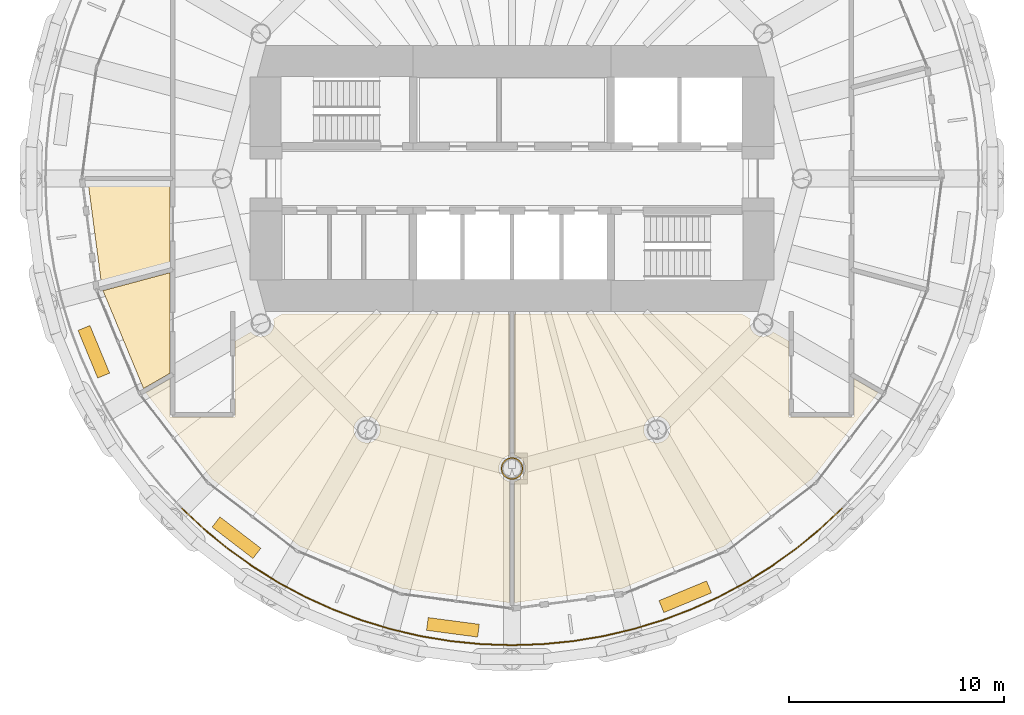
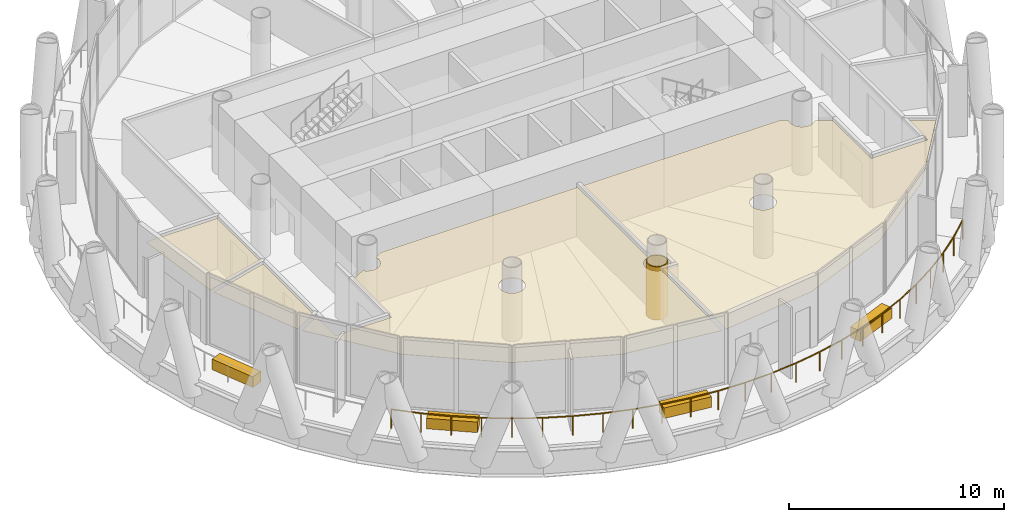
# One storey, part 12 of 14: 9 coverings, 1 railing.
"""IFC4 building model written with IfcOpenShell, lengths in metres."""

import ifcopenshell
import ifcopenshell.guid

model = None  # the IFC model being written
_history = None  # IfcOwnerHistory: only IFC2X3 demands one
_inside = {}  # id of a spatial element -> (the spatial element, [elements in it])
_under = {}  # id of a project, library or spatial element -> (it, [spatial elements below it])
_declared = {}  # id of a project -> (the project, [libraries it declares])
_typed = {}  # id of a type object -> (the type object, [elements of that type])
_made_of = {}  # id of a material, layer set ... -> (it, [elements and type objects made of it])


def new_model(schema):
    """Start an empty IFC model of exactly this schema.

    Asked for "IFC4X3", IfcOpenShell would pick the latest addendum, in which some entities
    have other attributes; the version numbers below select the first issue.
    IFC2X3 requires an IfcOwnerHistory on every rooted entity: one is made here for all.
    """
    global model, _history
    if schema == "IFC4X3":
        model = ifcopenshell.file(schema_version=(4, 3, 0, 0))
    else:
        model = ifcopenshell.file(schema=schema)
    _inside.clear()
    _under.clear()
    _declared.clear()
    _typed.clear()
    _made_of.clear()
    _history = None
    if model.schema == "IFC2X3":
        org = make("IfcOrganization", Name="unknown")
        user = make(
            "IfcPersonAndOrganization",
            ThePerson=make("IfcPerson", FamilyName="unknown"),
            TheOrganization=org,
        )
        app = make(
            "IfcApplication",
            ApplicationDeveloper=org,
            Version="unknown",
            ApplicationFullName="unknown",
            ApplicationIdentifier="unknown",
        )
        _history = make(
            "IfcOwnerHistory",
            OwningUser=user,
            OwningApplication=app,
            ChangeAction="ADDED",
            CreationDate=0,
        )
    return model


def make(cls, **values):
    """One entity of the class cls with the attributes given. An attribute that is None is left unset."""
    return model.create_entity(
        cls, **{name: value for name, value in values.items() if value is not None}
    )


def rooted(cls, **values):
    """An entity with a GlobalId (a new one), such as an element, a storey or a relation."""
    return make(cls, GlobalId=ifcopenshell.guid.new(), OwnerHistory=_history, **values)


def si_unit(unit_type, name, prefix=None):
    """IfcSIUnit, for example si_unit("LENGTHUNIT", "METRE", prefix="MILLI")."""
    return make("IfcSIUnit", UnitType=unit_type, Prefix=prefix, Name=name)


def assignment(units):
    """IfcUnitAssignment: the units of a project."""
    return None if units is None else make("IfcUnitAssignment", Units=units)


def point(xyz):
    """IfcCartesianPoint."""
    return None if xyz is None else make("IfcCartesianPoint", Coordinates=xyz)


def direction(xyz):
    """IfcDirection."""
    return None if xyz is None else make("IfcDirection", DirectionRatios=xyz)


def frame(location, z_axis=None, x_axis=None):
    """IfcAxis2Placement3D, a coordinate frame: its origin and axes. An axis left out is left unset."""
    return make(
        "IfcAxis2Placement3D",
        Location=point(location),
        Axis=direction(z_axis),
        RefDirection=direction(x_axis),
    )


def frame_2d(location, x_axis=None):
    """IfcAxis2Placement2D, a coordinate frame in the plane: its origin and x axis."""
    return make(
        "IfcAxis2Placement2D", Location=point(location), RefDirection=direction(x_axis)
    )


def origin():
    """The frame at (0, 0, 0) with its axes left unset."""
    return frame((0.0, 0.0, 0.0))


def origin_2d():
    """The frame at (0, 0) in the plane with its x axis left unset."""
    return frame_2d((0.0, 0.0))


def place(relative_to, where):
    """IfcLocalPlacement: puts the frame where relative to a parent placement (None: the world)."""
    return make(
        "IfcLocalPlacement", PlacementRelTo=relative_to, RelativePlacement=where
    )


def context(
    kind, dimensions, precision=None, world=None, true_north=None, identifier=None
):
    """IfcGeometricRepresentationContext, for example the 3D "Model" context."""
    return make(
        "IfcGeometricRepresentationContext",
        ContextIdentifier=identifier,
        ContextType=kind,
        CoordinateSpaceDimension=dimensions,
        Precision=precision,
        WorldCoordinateSystem=world,
        TrueNorth=true_north,
    )


def subcontext(parent, identifier, kind, view, scale=None):
    """IfcGeometricRepresentationSubContext, for example "Body" below "Model"."""
    return make(
        "IfcGeometricRepresentationSubContext",
        ContextIdentifier=identifier,
        ContextType=kind,
        ParentContext=parent,
        TargetScale=scale,
        TargetView=view,
    )


def project(units=None, contexts=None):
    """IfcProject with its units and contexts."""
    return rooted(
        "IfcProject",
        Name="project",
        RepresentationContexts=contexts,
        UnitsInContext=assignment(units),
    )


def spatial(cls, under=None, at=None, **own):
    """A site, building, storey or space (cls), placed at a placement, below another one or the project."""
    s = rooted(cls, ObjectPlacement=at, **own)
    if under is not None:
        _under.setdefault(under.id(), (under, []))[1].append(s)
    return s


def polyline(points):
    """IfcPolyline through the points."""
    return make("IfcPolyline", Points=[point(p) for p in points])


def profile(cls, at=None, kind="AREA", **sizes):
    """A parametric profile (cls). Its sizes go by their IFC names, for example OverallWidth=200.0."""
    return make(cls, ProfileType=kind, Position=at, **sizes)


def rectangle(**sizes):
    """IfcRectangleProfileDef."""
    return profile("IfcRectangleProfileDef", **sizes)


def circle(**sizes):
    """IfcCircleProfileDef."""
    return profile("IfcCircleProfileDef", **sizes)


def outline(outer, holes=None, kind="AREA"):
    """IfcArbitraryClosedProfileDef: a profile drawn as a closed curve; with holes, ...WithVoids."""
    if holes is None:
        return make("IfcArbitraryClosedProfileDef", ProfileType=kind, OuterCurve=outer)
    return make(
        "IfcArbitraryProfileDefWithVoids",
        ProfileType=kind,
        OuterCurve=outer,
        InnerCurves=holes,
    )


def extrude(swept, where, along, depth):
    """IfcExtrudedAreaSolid: the profile swept, set in the frame where, extruded along a direction by depth."""
    return make(
        "IfcExtrudedAreaSolid",
        SweptArea=swept,
        Position=where,
        ExtrudedDirection=direction(along),
        Depth=depth,
    )


def shape(context_of_items, identifier, shape_type, items):
    """IfcShapeRepresentation: the items that make up one representation, for example the "Body"."""
    return make(
        "IfcShapeRepresentation",
        ContextOfItems=context_of_items,
        RepresentationIdentifier=identifier,
        RepresentationType=shape_type,
        Items=items,
    )


def material(Name=None, Category=None):
    """IfcMaterial."""
    return make("IfcMaterial", Name=Name, Category=Category)


def layer(
    of_material, thickness, ventilated=None, Name=None, Category=None, Priority=None
):
    """IfcMaterialLayer: one layer of a wall or slab, of a material (None: an air gap)."""
    return make(
        "IfcMaterialLayer",
        Material=of_material,
        LayerThickness=thickness,
        IsVentilated=ventilated,
        Name=Name,
        Category=Category,
        Priority=Priority,
    )


def layer_set(layers, Name=None):
    """IfcMaterialLayerSet."""
    return make("IfcMaterialLayerSet", MaterialLayers=layers, LayerSetName=Name)


def made_of(thing, what):
    """Note that an element or type object is made of a material, layer set ...; save() writes the relation."""
    if what is not None:
        _made_of.setdefault(what.id(), (what, []))[1].append(thing)
    return thing


def type_object(cls, material=None, **own):
    """A type object (cls), such as IfcWallType, which elements share."""
    return made_of(rooted(cls, **own), material)


def element(
    cls,
    number,
    at=None,
    inside=None,
    cuts=None,
    type_object=None,
    material=None,
    context=None,
    identifier="Body",
    shape_type=None,
    held_by="IfcProductDefinitionShape",
    body=None,
    shapes=None,
    **own,
):
    """One element of the class cls, such as IfcWall. Its Tag is "e" and its number.

    at: its placement. inside: the storey or other place that contains it. cuts: it is an
    opening in that element (IfcRelVoidsElement). A single representation is given by context,
    identifier, shape_type and body (its items); several are given by shapes. held_by: the class
    of the entity that holds the representations. save() writes the other relations.
    """
    e = rooted(cls, Tag="e%d" % number, ObjectPlacement=at, **own)
    if body is not None:
        shapes = [shape(context, identifier, shape_type, body)]
    if shapes is not None:
        e.Representation = make(held_by, Representations=shapes)
    if inside is not None:
        _inside.setdefault(inside.id(), (inside, []))[1].append(e)
    if cuts is not None:
        rooted(
            "IfcRelVoidsElement", RelatingBuildingElement=cuts, RelatedOpeningElement=e
        )
    if type_object is not None:
        _typed.setdefault(type_object.id(), (type_object, []))[1].append(e)
    return made_of(e, material)


def aggregate(whole, parts):
    """IfcRelAggregates: a whole, such as a stair, and the parts it consists of."""
    return rooted("IfcRelAggregates", RelatingObject=whole, RelatedObjects=parts)


def save(model, path):
    """Write the relations noted so far, then the file.

    IfcRelAggregates (storeys below a building ...), IfcRelContainedInSpatialStructure (elements
    in a storey), IfcRelDefinesByType, IfcRelAssociatesMaterial and IfcRelDeclares: one each for
    every whole, place, type object, material and project.
    """
    for whole, parts in _under.values():
        aggregate(whole, parts)
    for where, things in _inside.values():
        rooted(
            "IfcRelContainedInSpatialStructure",
            RelatedElements=things,
            RelatingStructure=where,
        )
    for kind, things in _typed.values():
        rooted("IfcRelDefinesByType", RelatedObjects=things, RelatingType=kind)
    for what, things in _made_of.values():
        rooted("IfcRelAssociatesMaterial", RelatedObjects=things, RelatingMaterial=what)
    for by, libraries in _declared.values():
        rooted("IfcRelDeclares", RelatingContext=by, RelatedDefinitions=libraries)
    model.write(path)


model = new_model("IFC4")

# Units and contexts
model_context = context("Model", 3, precision=1e-05, world=origin(), true_north=direction((0.0, 1.0)))
body_context = subcontext(model_context, "Body", "Model", "MODEL_VIEW")
ifc_project = project(units=[si_unit("LENGTHUNIT", "METRE"), si_unit("AREAUNIT", "SQUARE_METRE"), si_unit("VOLUMEUNIT", "CUBIC_METRE"), si_unit("PLANEANGLEUNIT", "RADIAN"), si_unit("MASSUNIT", "GRAM", prefix="KILO")], contexts=[model_context])

# Site, building, storey
site_placement = place(None, origin())
site = spatial("IfcSite", under=ifc_project, at=site_placement, CompositionType="ELEMENT")
building_placement = place(site_placement, origin())
building = spatial("IfcBuilding", under=site, at=building_placement, Name="Qaws Media Tower", CompositionType="ELEMENT")
storey_placement = place(building_placement, frame((0.0, 0.0, 240.199951171875)))
storey = spatial("IfcBuildingStorey", under=building, at=storey_placement, Name="L55", CompositionType="ELEMENT", Elevation=240.199951171875)

# Railing
ifc_material_1 = material(Name="Stainless steel and glass guard", Category="steel")
railing_type = type_object("IfcRailingType", Name="Balcony guard 1100", PredefinedType="GUARDRAIL", material=ifc_material_1)
railing_placement = place(storey_placement, frame((44.63818359375, 34.63818359375, 0.0)))
element("IfcRailing", 1, at=railing_placement, inside=storey, type_object=railing_type, Name="GR1 balcony guard L55-3", PredefinedType="GUARDRAIL", context=body_context, shape_type="SweptSolid", body=[
    extrude(circle(Radius=0.02392578125, at=origin_2d()), frame((0.0, 0.0, 1.076171875), z_axis=(0.729826320448, -0.683632607459, 0.0), x_axis=(0.683632607459, 0.729826320448, 0.0)), (0.0, 0.0, 1.0), 1.421630859375),
    extrude(circle(Radius=0.02392578125, at=origin_2d()), frame((1.03759765625, -0.971923828125, 1.076171875), z_axis=(0.772999945781, -0.634406087473, 0.0), x_axis=(0.634406087473, 0.772999945781, 0.0)), (0.0, 0.0, 1.0), 1.421630859375),
    extrude(circle(Radius=0.02392578125, at=origin_2d()), frame((2.136474609375, -1.873779296875, 1.076171875), z_axis=(0.81281577236, -0.58252083242, 0.0), x_axis=(0.58252083242, 0.81281577236, 0.0)), (0.0, 0.0, 1.0), 1.421630859375),
    extrude(circle(Radius=0.02392578125, at=origin_2d()), frame((3.2919921875, -2.701904296875, 1.076171875), z_axis=(0.849202073908, -0.528068023715, 0.0), x_axis=(0.528068023715, 0.849202073908, 0.0)), (0.0, 0.0, 1.0), 1.421630859375),
    extrude(circle(Radius=0.02392578125, at=origin_2d()), frame((4.499267578125, -3.45263671875, 1.076171875), z_axis=(0.881939053393, -0.471363454354, 0.0), x_axis=(0.471363454354, 0.881939053393, 0.0)), (0.0, 0.0, 1.0), 1.421875),
    extrude(circle(Radius=0.02392578125, at=origin_2d()), frame((5.753173828125, -4.122802734375, 1.076171875), z_axis=(0.9108774549, -0.412676946479, 0.0), x_axis=(0.412676946479, 0.9108774549, 0.0)), (0.0, 0.0, 1.0), 1.421630859375),
    extrude(circle(Radius=0.02392578125, at=origin_2d()), frame((7.048095703125, -4.70947265625, 1.076171875), z_axis=(0.935919216356, -0.352214736284, 0.0), x_axis=(0.352214736284, 0.935919216356, 0.0)), (0.0, 0.0, 1.0), 1.421630859375),
    extrude(circle(Radius=0.02392578125, at=origin_2d()), frame((8.378662109375, -5.210205078125, 1.076171875), z_axis=(0.956952153131, -0.290245717658, 0.0), x_axis=(0.290245717658, 0.956952153131, 0.0)), (0.0, 0.0, 1.0), 1.421630859375),
    extrude(circle(Radius=0.02392578125, at=origin_2d()), frame((9.739013671875, -5.622802734375, 1.076171875), z_axis=(0.973850075707, -0.227191615264, 0.0), x_axis=(0.227191615264, 0.973850075707, 0.0)), (0.0, 0.0, 1.0), 1.421630859375),
    extrude(circle(Radius=0.02392578125, at=origin_2d()), frame((11.12353515625, -5.94580078125, 1.076171875), z_axis=(0.98665722181, -0.162811322241, 0.0), x_axis=(0.162811322241, 0.98665722181, 0.0)), (0.0, 0.0, 1.0), 1.421630859375),
    extrude(circle(Radius=0.02392578125, at=origin_2d()), frame((12.526123046875, -6.17724609375, 1.076171875), z_axis=(0.995180666632, -0.098058353865, 0.0), x_axis=(0.098058353865, 0.995180666632, 0.0)), (0.0, 0.0, 1.0), 1.421630859375),
    extrude(circle(Radius=0.02392578125, at=origin_2d()), frame((13.94091796875, -6.316650390625, 1.076171875), z_axis=(0.999461928317, -0.03280021105, 0.0), x_axis=(0.03280021105, 0.999461928317, 0.0)), (0.0, 0.0, 1.0), 1.421630859375),
    extrude(circle(Radius=0.02392578125, at=origin_2d()), frame((15.36181640625, -6.36328125, 1.076171875), z_axis=(0.999461928317, 0.03280021105, 0.0), x_axis=(-0.03280021105, 0.999461928317, 0.0)), (0.0, 0.0, 1.0), 1.421630859375),
    extrude(circle(Radius=0.02392578125, at=origin_2d()), frame((16.78271484375, -6.316650390625, 1.076171875), z_axis=(0.995180666632, 0.098058353865, 0.0), x_axis=(-0.098058353865, 0.995180666632, 0.0)), (0.0, 0.0, 1.0), 1.421630859375),
    extrude(circle(Radius=0.02392578125, at=origin_2d()), frame((18.197509765625, -6.17724609375, 1.076171875), z_axis=(0.98665722181, 0.162811322241, 0.0), x_axis=(-0.162811322241, 0.98665722181, 0.0)), (0.0, 0.0, 1.0), 1.421630859375),
    extrude(circle(Radius=0.02392578125, at=origin_2d()), frame((19.60009765625, -5.94580078125, 1.076171875), z_axis=(0.973850075707, 0.227191615264, 0.0), x_axis=(-0.227191615264, 0.973850075707, 0.0)), (0.0, 0.0, 1.0), 1.421630859375),
    extrude(circle(Radius=0.02392578125, at=origin_2d()), frame((20.984619140625, -5.622802734375, 1.076171875), z_axis=(0.956952153131, 0.290245717658, 0.0), x_axis=(-0.290245717658, 0.956952153131, 0.0)), (0.0, 0.0, 1.0), 1.421630859375),
    extrude(circle(Radius=0.02392578125, at=origin_2d()), frame((22.344970703125, -5.210205078125, 1.076171875), z_axis=(0.935919216356, 0.352214736284, 0.0), x_axis=(-0.352214736284, 0.935919216356, 0.0)), (0.0, 0.0, 1.0), 1.421630859375),
    extrude(circle(Radius=0.02392578125, at=origin_2d()), frame((23.675537109375, -4.70947265625, 1.076171875), z_axis=(0.9108774549, 0.412676946479, 0.0), x_axis=(-0.412676946479, 0.9108774549, 0.0)), (0.0, 0.0, 1.0), 1.421630859375),
    extrude(circle(Radius=0.02392578125, at=origin_2d()), frame((24.970458984375, -4.122802734375, 1.076171875), z_axis=(0.881939053393, 0.471363454354, 0.0), x_axis=(-0.471363454354, 0.881939053393, 0.0)), (0.0, 0.0, 1.0), 1.421875),
    extrude(circle(Radius=0.02392578125, at=origin_2d()), frame((26.224365234375, -3.45263671875, 1.076171875), z_axis=(0.849202073908, 0.528068023715, 0.0), x_axis=(-0.528068023715, 0.849202073908, 0.0)), (0.0, 0.0, 1.0), 1.421630859375),
    extrude(circle(Radius=0.02392578125, at=origin_2d()), frame((27.431640625, -2.701904296875, 1.076171875), z_axis=(0.81281577236, 0.58252083242, 0.0), x_axis=(-0.58252083242, 0.81281577236, 0.0)), (0.0, 0.0, 1.0), 1.421630859375),
    extrude(circle(Radius=0.02392578125, at=origin_2d()), frame((28.587158203125, -1.873779296875, 1.076171875), z_axis=(0.772999945781, 0.634406087473, 0.0), x_axis=(-0.634406087473, 0.772999945781, 0.0)), (0.0, 0.0, 1.0), 1.421630859375),
    extrude(circle(Radius=0.02392578125, at=origin_2d()), frame((29.68603515625, -0.971923828125, 1.076171875), z_axis=(0.729826320448, 0.683632607459, 0.0), x_axis=(-0.683632607459, 0.729826320448, 0.0)), (0.0, 0.0, 1.0), 1.421630859375),
    extrude(circle(Radius=0.02099609375, at=origin_2d()), origin(), (0.0, 0.0, 1.0), 1.052001953125),
    extrude(circle(Radius=0.02099609375, at=origin_2d()), frame((1.03759765625, -0.971923828125, 0.0)), (0.0, 0.0, 1.0), 1.052001953125),
    extrude(circle(Radius=0.02099609375, at=origin_2d()), frame((2.136474609375, -1.873779296875, 0.0)), (0.0, 0.0, 1.0), 1.052001953125),
    extrude(circle(Radius=0.02099609375, at=origin_2d()), frame((3.2919921875, -2.701904296875, 0.0)), (0.0, 0.0, 1.0), 1.052001953125),
    extrude(circle(Radius=0.02099609375, at=origin_2d()), frame((4.499267578125, -3.45263671875, 0.0)), (0.0, 0.0, 1.0), 1.052001953125),
    extrude(circle(Radius=0.02099609375, at=origin_2d()), frame((5.753173828125, -4.122802734375, 0.0)), (0.0, 0.0, 1.0), 1.052001953125),
    extrude(circle(Radius=0.02099609375, at=origin_2d()), frame((7.048095703125, -4.70947265625, 0.0)), (0.0, 0.0, 1.0), 1.052001953125),
    extrude(circle(Radius=0.02099609375, at=origin_2d()), frame((8.378662109375, -5.210205078125, 0.0)), (0.0, 0.0, 1.0), 1.052001953125),
    extrude(circle(Radius=0.02099609375, at=origin_2d()), frame((9.739013671875, -5.622802734375, 0.0)), (0.0, 0.0, 1.0), 1.052001953125),
    extrude(circle(Radius=0.02099609375, at=origin_2d()), frame((11.12353515625, -5.94580078125, 0.0)), (0.0, 0.0, 1.0), 1.052001953125),
    extrude(circle(Radius=0.02099609375, at=origin_2d()), frame((12.526123046875, -6.17724609375, 0.0)), (0.0, 0.0, 1.0), 1.052001953125),
    extrude(circle(Radius=0.02099609375, at=origin_2d()), frame((13.94091796875, -6.316650390625, 0.0)), (0.0, 0.0, 1.0), 1.052001953125),
    extrude(circle(Radius=0.02099609375, at=origin_2d()), frame((15.36181640625, -6.36328125, 0.0)), (0.0, 0.0, 1.0), 1.052001953125),
    extrude(circle(Radius=0.02099609375, at=origin_2d()), frame((16.78271484375, -6.316650390625, 0.0)), (0.0, 0.0, 1.0), 1.052001953125),
    extrude(circle(Radius=0.02099609375, at=origin_2d()), frame((18.197509765625, -6.17724609375, 0.0)), (0.0, 0.0, 1.0), 1.052001953125),
    extrude(circle(Radius=0.02099609375, at=origin_2d()), frame((19.60009765625, -5.94580078125, 0.0)), (0.0, 0.0, 1.0), 1.052001953125),
    extrude(circle(Radius=0.02099609375, at=origin_2d()), frame((20.984619140625, -5.622802734375, 0.0)), (0.0, 0.0, 1.0), 1.052001953125),
    extrude(circle(Radius=0.02099609375, at=origin_2d()), frame((22.344970703125, -5.210205078125, 0.0)), (0.0, 0.0, 1.0), 1.052001953125),
    extrude(circle(Radius=0.02099609375, at=origin_2d()), frame((23.675537109375, -4.70947265625, 0.0)), (0.0, 0.0, 1.0), 1.052001953125),
    extrude(circle(Radius=0.02099609375, at=origin_2d()), frame((24.970458984375, -4.122802734375, 0.0)), (0.0, 0.0, 1.0), 1.052001953125),
    extrude(circle(Radius=0.02099609375, at=origin_2d()), frame((26.224365234375, -3.45263671875, 0.0)), (0.0, 0.0, 1.0), 1.052001953125),
    extrude(circle(Radius=0.02099609375, at=origin_2d()), frame((27.431640625, -2.701904296875, 0.0)), (0.0, 0.0, 1.0), 1.052001953125),
    extrude(circle(Radius=0.02099609375, at=origin_2d()), frame((28.587158203125, -1.873779296875, 0.0)), (0.0, 0.0, 1.0), 1.052001953125),
    extrude(circle(Radius=0.02099609375, at=origin_2d()), frame((29.68603515625, -0.971923828125, 0.0)), (0.0, 0.0, 1.0), 1.052001953125),
    extrude(circle(Radius=0.02099609375, at=origin_2d()), frame((30.7236328125, 0.0, 0.0)), (0.0, 0.0, 1.0), 1.052001953125),
])

# Coverings
ifc_material_2 = material(Name="Two layers 15 fire-rated gypsum board on steel framing", Category="steel")
ifc_layer_1 = layer(ifc_material_2, 0.050048828125)
ifc_layer_set_1 = layer_set([ifc_layer_1], Name="Column fire casing")
covering_type_1 = type_object("IfcCoveringType", Name="Column fire casing", PredefinedType="CLADDING", material=ifc_layer_set_1)
covering_1_placement = place(storey_placement, origin())
element("IfcCovering", 2, at=covering_1_placement, inside=storey, type_object=covering_type_1, Name="CC1 column casing L55", PredefinedType="CLADDING", context=body_context, shape_type="SweptSolid", body=[
    extrude(outline(polyline([(60.511962890625, 36.5), (60.507568359375, 36.43310546875), (60.49462890625, 36.367431640625), (60.472900390625, 36.30419921875), (60.443359375, 36.243896484375), (60.40625, 36.188232421875), (60.362060546875, 36.137939453125), (60.311767578125, 36.09375), (60.256103515625, 36.056640625), (60.19580078125, 36.027099609375), (60.132568359375, 36.00537109375), (60.06689453125, 35.992431640625), (60.0, 35.988037109375), (59.93310546875, 35.992431640625), (59.867431640625, 36.00537109375), (59.80419921875, 36.027099609375), (59.743896484375, 36.056640625), (59.688232421875, 36.09375), (59.637939453125, 36.137939453125), (59.59375, 36.188232421875), (59.556640625, 36.243896484375), (59.527099609375, 36.30419921875), (59.50537109375, 36.367431640625), (59.492431640625, 36.43310546875), (59.488037109375, 36.5), (59.492431640625, 36.56689453125), (59.50537109375, 36.632568359375), (59.527099609375, 36.69580078125), (59.556640625, 36.756103515625), (59.59375, 36.811767578125), (59.637939453125, 36.862060546875), (59.688232421875, 36.90625), (59.743896484375, 36.943359375), (59.80419921875, 36.972900390625), (59.867431640625, 36.99462890625), (59.93310546875, 37.007568359375), (60.0, 37.011962890625), (60.06689453125, 37.007568359375), (60.132568359375, 36.99462890625), (60.19580078125, 36.972900390625), (60.256103515625, 36.943359375), (60.311767578125, 36.90625), (60.362060546875, 36.862060546875), (60.40625, 36.811767578125), (60.443359375, 36.756103515625), (60.472900390625, 36.69580078125), (60.49462890625, 36.632568359375), (60.507568359375, 36.56689453125), (60.511962890625, 36.5)]), holes=[polyline([(60.4599609375, 36.5), (60.4560546875, 36.43994140625), (60.4443359375, 36.380859375), (60.425048828125, 36.323974609375), (60.3984375, 36.27001953125), (60.364990234375, 36.219970703125), (60.3251953125, 36.1748046875), (60.280029296875, 36.135009765625), (60.22998046875, 36.1015625), (60.176025390625, 36.074951171875), (60.119140625, 36.0556640625), (60.06005859375, 36.0439453125), (60.0, 36.0400390625), (59.93994140625, 36.0439453125), (59.880859375, 36.0556640625), (59.823974609375, 36.074951171875), (59.77001953125, 36.1015625), (59.719970703125, 36.135009765625), (59.6748046875, 36.1748046875), (59.635009765625, 36.219970703125), (59.6015625, 36.27001953125), (59.574951171875, 36.323974609375), (59.5556640625, 36.380859375), (59.5439453125, 36.43994140625), (59.5400390625, 36.5), (59.5439453125, 36.56005859375), (59.5556640625, 36.619140625), (59.574951171875, 36.676025390625), (59.6015625, 36.72998046875), (59.635009765625, 36.780029296875), (59.6748046875, 36.8251953125), (59.719970703125, 36.864990234375), (59.77001953125, 36.8984375), (59.823974609375, 36.925048828125), (59.880859375, 36.9443359375), (59.93994140625, 36.9560546875), (60.0, 36.9599609375), (60.06005859375, 36.9560546875), (60.119140625, 36.9443359375), (60.176025390625, 36.925048828125), (60.22998046875, 36.8984375), (60.280029296875, 36.864990234375), (60.3251953125, 36.8251953125), (60.364990234375, 36.780029296875), (60.3984375, 36.72998046875), (60.425048828125, 36.676025390625), (60.4443359375, 36.619140625), (60.4560546875, 36.56005859375), (60.4599609375, 36.5)])]), origin(), (0.0, 0.0, 1.0), 3.02001953125),
])
ifc_material_3 = material(Name="600 x 600 mineral fibre tiles in exposed grid, suspended", Category="mineral fibre")
ifc_layer_2 = layer(ifc_material_3, 0.02001953125)
ifc_layer_set_2 = layer_set([ifc_layer_2], Name="Mineral fibre tile ceiling 20")
covering_type_2 = type_object("IfcCoveringType", Name="Mineral fibre tile ceiling 20", PredefinedType="CEILING", material=ifc_layer_set_2)
covering_2_placement = place(storey_placement, frame((0.0, 0.0, 2.85009765625)))
element("IfcCovering", 3, at=covering_2_placement, inside=storey, type_object=covering_type_2, Name="CL1 ceiling L55-08 Office", PredefinedType="CEILING", context=body_context, shape_type="SweptSolid", body=[
    extrude(outline(polyline([(40.95654296875, 44.78076171875), (44.08740234375, 45.619873046875), (44.08740234375, 40.94287109375), (42.84375, 40.224609375), (40.95654296875, 44.78076171875)])), origin(), (0.0, 0.0, 1.0), 0.02001953125),
])
covering_3_placement = place(storey_placement, frame((0.0, 0.0, 2.85009765625)))
element("IfcCovering", 4, at=covering_3_placement, inside=storey, type_object=covering_type_2, Name="CL1 ceiling L55-09 Tenant office", PredefinedType="CEILING", context=body_context, shape_type="SweptSolid", body=[
    extrude(outline(polyline([(54.8857421875, 30.9130859375), (50.119873046875, 32.88720703125), (46.02734375, 36.02734375), (42.956298828125, 40.02978515625), (44.08740234375, 40.68310546875), (44.08740234375, 38.887451171875), (47.112548828125, 38.887451171875), (47.112548828125, 42.429443359375), (47.840576171875, 42.849853515625), (47.872314453125, 42.813720703125), (47.93310546875, 42.760498046875), (48.000244140625, 42.7158203125), (48.072509765625, 42.679931640625), (48.14892578125, 42.654052734375), (48.22802734375, 42.63818359375), (48.30859375, 42.633056640625), (48.38916015625, 42.63818359375), (48.46826171875, 42.654052734375), (48.544921875, 42.679931640625), (48.6171875, 42.7158203125), (48.684326171875, 42.760498046875), (48.744873046875, 42.813720703125), (48.798095703125, 42.87451171875), (48.843017578125, 42.94140625), (48.878662109375, 43.013916015625), (48.904541015625, 43.09033203125), (48.92041015625, 43.16943359375), (48.92578125, 43.25), (48.92041015625, 43.33056640625), (48.904541015625, 43.40966796875), (48.88916015625, 43.455322265625), (49.29150390625, 43.6875), (59.887451171875, 43.6875), (59.887451171875, 37.10546875), (59.84033203125, 37.095947265625), (59.763916015625, 37.070068359375), (59.69140625, 37.0341796875), (59.62451171875, 36.989501953125), (59.563720703125, 36.936279296875), (59.510498046875, 36.87548828125), (59.4658203125, 36.80859375), (59.429931640625, 36.736083984375), (59.404052734375, 36.65966796875), (59.38818359375, 36.58056640625), (59.383056640625, 36.5), (59.38818359375, 36.41943359375), (59.404052734375, 36.34033203125), (59.429931640625, 36.263916015625), (59.4658203125, 36.19140625), (59.510498046875, 36.12451171875), (59.563720703125, 36.063720703125), (59.62451171875, 36.010498046875), (59.69140625, 35.9658203125), (59.763916015625, 35.929931640625), (59.84033203125, 35.904052734375), (59.887451171875, 35.89453125), (59.887451171875, 30.254638671875), (54.8857421875, 30.9130859375)]), holes=[polyline([(53.845947265625, 38.14892578125), (53.86181640625, 38.22802734375), (53.866943359375, 38.30859375), (53.86181640625, 38.38916015625), (53.845947265625, 38.46826171875), (53.820068359375, 38.544921875), (53.7841796875, 38.6171875), (53.739501953125, 38.684326171875), (53.686279296875, 38.744873046875), (53.62548828125, 38.798095703125), (53.55859375, 38.843017578125), (53.486083984375, 38.878662109375), (53.40966796875, 38.904541015625), (53.33056640625, 38.92041015625), (53.25, 38.92578125), (53.16943359375, 38.92041015625), (53.09033203125, 38.904541015625), (53.013916015625, 38.878662109375), (52.94140625, 38.843017578125), (52.87451171875, 38.798095703125), (52.813720703125, 38.744873046875), (52.760498046875, 38.684326171875), (52.7158203125, 38.6171875), (52.679931640625, 38.544921875), (52.654052734375, 38.46826171875), (52.63818359375, 38.38916015625), (52.633056640625, 38.30859375), (52.63818359375, 38.22802734375), (52.654052734375, 38.14892578125), (52.679931640625, 38.072509765625), (52.7158203125, 38.000244140625), (52.760498046875, 37.93310546875), (52.813720703125, 37.872314453125), (52.87451171875, 37.819091796875), (52.94140625, 37.7744140625), (53.013916015625, 37.738525390625), (53.09033203125, 37.712646484375), (53.16943359375, 37.697021484375), (53.25, 37.691650390625), (53.33056640625, 37.697021484375), (53.40966796875, 37.712646484375), (53.486083984375, 37.738525390625), (53.55859375, 37.7744140625), (53.62548828125, 37.819091796875), (53.686279296875, 37.872314453125), (53.739501953125, 37.93310546875), (53.7841796875, 38.000244140625), (53.820068359375, 38.072509765625), (53.845947265625, 38.14892578125)])]), origin(), (0.0, 0.0, 1.0), 0.02001953125),
])
covering_4_placement = place(storey_placement, frame((0.0, 0.0, 2.85009765625)))
element("IfcCovering", 5, at=covering_4_placement, inside=storey, type_object=covering_type_2, Name="CL1 ceiling L55-10 Tenant office", PredefinedType="CEILING", context=body_context, shape_type="SweptSolid", body=[
    extrude(outline(polyline([(72.887451171875, 38.887451171875), (75.91259765625, 38.887451171875), (75.91259765625, 40.68310546875), (77.043701171875, 40.02978515625), (73.97265625, 36.02734375), (69.880126953125, 32.88720703125), (65.1142578125, 30.9130859375), (60.112548828125, 30.254638671875), (60.112548828125, 35.89453125), (60.15966796875, 35.904052734375), (60.236083984375, 35.929931640625), (60.30859375, 35.9658203125), (60.37548828125, 36.010498046875), (60.436279296875, 36.063720703125), (60.489501953125, 36.12451171875), (60.5341796875, 36.19140625), (60.570068359375, 36.263916015625), (60.595947265625, 36.34033203125), (60.61181640625, 36.41943359375), (60.616943359375, 36.5), (60.61181640625, 36.58056640625), (60.595947265625, 36.65966796875), (60.570068359375, 36.736083984375), (60.5341796875, 36.80859375), (60.489501953125, 36.87548828125), (60.436279296875, 36.936279296875), (60.37548828125, 36.989501953125), (60.30859375, 37.0341796875), (60.236083984375, 37.070068359375), (60.15966796875, 37.095947265625), (60.112548828125, 37.10546875), (60.112548828125, 43.6875), (70.70849609375, 43.6875), (71.11083984375, 43.455322265625), (71.095458984375, 43.40966796875), (71.07958984375, 43.33056640625), (71.07421875, 43.25), (71.07958984375, 43.16943359375), (71.095458984375, 43.09033203125), (71.121337890625, 43.013916015625), (71.156982421875, 42.94140625), (71.201904296875, 42.87451171875), (71.255126953125, 42.813720703125), (71.315673828125, 42.760498046875), (71.3828125, 42.7158203125), (71.455078125, 42.679931640625), (71.53173828125, 42.654052734375), (71.61083984375, 42.63818359375), (71.69140625, 42.633056640625), (71.77197265625, 42.63818359375), (71.85107421875, 42.654052734375), (71.927490234375, 42.679931640625), (71.999755859375, 42.7158203125), (72.06689453125, 42.760498046875), (72.127685546875, 42.813720703125), (72.159423828125, 42.849853515625), (72.887451171875, 42.429443359375), (72.887451171875, 38.887451171875)]), holes=[polyline([(67.320068359375, 38.072509765625), (67.345947265625, 38.14892578125), (67.36181640625, 38.22802734375), (67.366943359375, 38.30859375), (67.36181640625, 38.38916015625), (67.345947265625, 38.46826171875), (67.320068359375, 38.544921875), (67.2841796875, 38.6171875), (67.239501953125, 38.684326171875), (67.186279296875, 38.744873046875), (67.12548828125, 38.798095703125), (67.05859375, 38.843017578125), (66.986083984375, 38.878662109375), (66.90966796875, 38.904541015625), (66.83056640625, 38.92041015625), (66.75, 38.92578125), (66.66943359375, 38.92041015625), (66.59033203125, 38.904541015625), (66.513916015625, 38.878662109375), (66.44140625, 38.843017578125), (66.37451171875, 38.798095703125), (66.313720703125, 38.744873046875), (66.260498046875, 38.684326171875), (66.2158203125, 38.6171875), (66.179931640625, 38.544921875), (66.154052734375, 38.46826171875), (66.13818359375, 38.38916015625), (66.133056640625, 38.30859375), (66.13818359375, 38.22802734375), (66.154052734375, 38.14892578125), (66.179931640625, 38.072509765625), (66.2158203125, 38.000244140625), (66.260498046875, 37.93310546875), (66.313720703125, 37.872314453125), (66.37451171875, 37.819091796875), (66.44140625, 37.7744140625), (66.513916015625, 37.738525390625), (66.59033203125, 37.712646484375), (66.66943359375, 37.697021484375), (66.75, 37.691650390625), (66.83056640625, 37.697021484375), (66.90966796875, 37.712646484375), (66.986083984375, 37.738525390625), (67.05859375, 37.7744140625), (67.12548828125, 37.819091796875), (67.186279296875, 37.872314453125), (67.239501953125, 37.93310546875), (67.2841796875, 38.000244140625), (67.320068359375, 38.072509765625)])]), origin(), (0.0, 0.0, 1.0), 0.02001953125),
])
ifc_material_4 = material(Name="Precast concrete planter with trailing planting", Category="concrete")
ifc_layer_3 = layer(ifc_material_4, 0.60009765625)
ifc_layer_set_3 = layer_set([ifc_layer_3], Name="Planter 2400x600")
covering_type_3 = type_object("IfcCoveringType", Name="Planter 2400x600", PredefinedType="USERDEFINED", material=ifc_layer_set_3)
for number, where, z_axis, x_axis, name in (
    (6, (40.529296875, 41.93505859375, 0.0), (0.0, 0.0, 1.0), (0.382683432365, -0.923879532511, 0.0), "PL1 balcony planter L55-07"),
    (7, (47.17041015625, 33.280029296875, 0.0), (0.0, 0.0, 1.0), (0.793353340291, -0.608761429009, 0.0), "PL1 balcony planter L55-08"),
    (8, (57.249267578125, 29.105224609375, 0.0), (0.0, 0.0, 1.0), (0.991444861374, -0.13052619222, 0.0), "PL1 balcony planter L55-09"),
    (9, (68.06494140625, 30.529296875, 0.0), (0.0, 0.0, 1.0), (0.923879532511, 0.382683432365, 0.0), "PL1 balcony planter L55-10"),
):
    element("IfcCovering", number, at=place(storey_placement, frame(where, z_axis=z_axis, x_axis=x_axis)), inside=storey, type_object=covering_type_3, Name=name, ObjectType="PLANTER", PredefinedType="USERDEFINED", context=body_context, shape_type="SweptSolid", body=[
        extrude(rectangle(XDim=2.39990234375, YDim=0.60009765625, at=origin_2d()), origin(), (0.0, 0.0, 1.0), 0.60009765625),
    ])
ifc_material_5 = material(Name="Two layers 12.5 moisture-resistant plasterboard on suspended metal furring", Category="gypsum")
ifc_layer_4 = layer(ifc_material_5, 0.02490234375)
ifc_layer_set_4 = layer_set([ifc_layer_4], Name="Plasterboard ceiling 25")
covering_type_4 = type_object("IfcCoveringType", Name="Plasterboard ceiling 25", PredefinedType="CEILING", material=ifc_layer_set_4)
covering_5_placement = place(storey_placement, frame((0.0, 0.0, 2.85009765625)))
element("IfcCovering", 10, at=covering_5_placement, inside=storey, type_object=covering_type_4, Name="CL2 ceiling L55-07 Tenant reception", PredefinedType="CEILING", context=body_context, shape_type="SweptSolid", body=[
    extrude(outline(polyline([(40.254638671875, 49.887451171875), (44.08740234375, 49.887451171875), (44.08740234375, 45.852783203125), (40.898193359375, 44.998291015625), (40.254638671875, 49.887451171875)])), origin(), (0.0, 0.0, 1.0), 0.02490234375),
])

save(model, "model.ifc")
